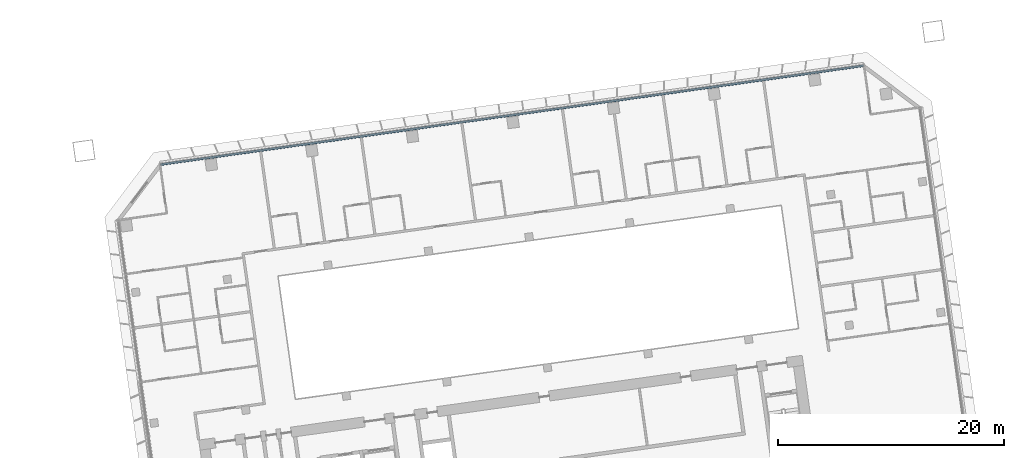
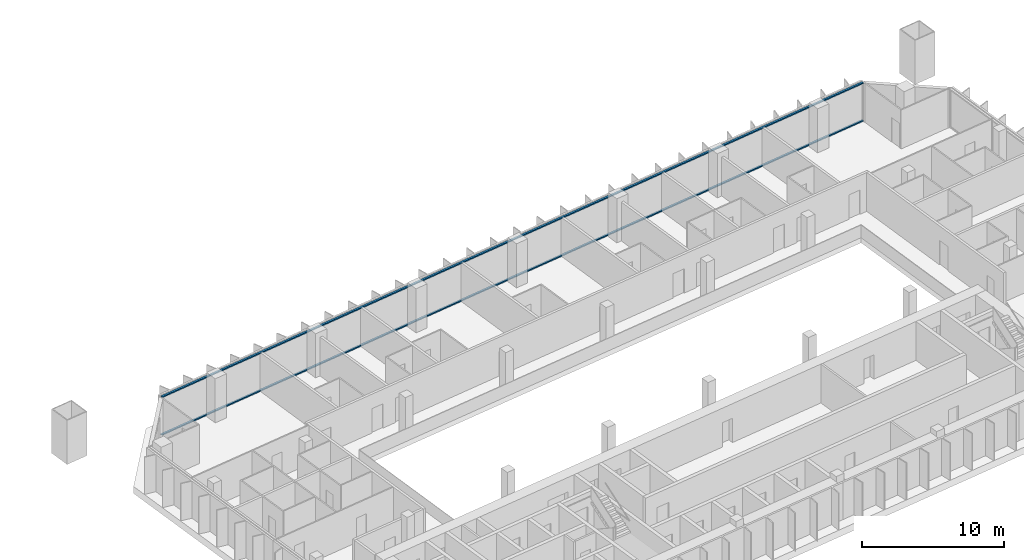
# One storey, part 9 of 25: 2 members, 1 element without a shape of its own.
"""IFC4 building model written with IfcOpenShell, lengths in metres."""

from ifc_helpers import new_model, si_unit, direction, frame, origin, origin_2d, place, context, subcontext, project, spatial, rectangle, extrude, material, material_profile, profile_set, type_object, element, aggregate, save


model = new_model("IFC4")

# Units and contexts
model_context = context("Model", 3, precision=1e-05, world=origin(), true_north=direction((0.0, 1.0)))
body_context = subcontext(model_context, "Body", "Model", "MODEL_VIEW")
ifc_project = project(units=[si_unit("LENGTHUNIT", "METRE"), si_unit("AREAUNIT", "SQUARE_METRE"), si_unit("VOLUMEUNIT", "CUBIC_METRE"), si_unit("PLANEANGLEUNIT", "RADIAN"), si_unit("MASSUNIT", "GRAM", prefix="KILO")], contexts=[model_context])

# Site, building, storey
site_placement = place(None, origin())
site = spatial("IfcSite", under=ifc_project, at=site_placement, CompositionType="ELEMENT")
building_placement = place(site_placement, origin())
building = spatial("IfcBuilding", under=site, at=building_placement, Name="Mirante Cascada Hotel Towers", CompositionType="ELEMENT")
storey_placement = place(building_placement, frame((0.0, 0.0, 69.9)))
storey = spatial("IfcBuildingStorey", under=building, at=storey_placement, Name="L14", CompositionType="ELEMENT", Elevation=69.9)

# Curtain wall, members
ifc_material_1 = material(Name="Aluminium mullion and transom frame with clear laminated glass", Category="aluminium")
curtain_wall_type = type_object("IfcCurtainWallType", Name="Ribbon curtain wall ECW1", PredefinedType="NOTDEFINED", material=ifc_material_1)
curtain_wall_placement = place(storey_placement, origin())
curtain_wall = element("IfcCurtainWall", 1, at=curtain_wall_placement, inside=storey, type_object=curtain_wall_type, Name="Front ribbon wall T2 L14", PredefinedType="NOTDEFINED")
ifc_material_2 = material(Name="Anodised aluminium extrusion", Category="aluminium")
ifc_material_profile = material_profile(ifc_material_2, rectangle(XDim=0.16, YDim=0.1, at=origin_2d()), Name="ECW1 TRANSOM 100x160")
ifc_profile_set = profile_set([ifc_material_profile], Name="Anodised aluminium extrusion")
member_type = type_object("IfcMemberType", Name="ECW1 transom 100x160", PredefinedType="USERDEFINED", material=ifc_profile_set)
member_1_placement = place(storey_placement, frame((94.1582, 26.0521, 0.05), z_axis=(-0.9902681, -0.1391728, 0.0), x_axis=(0.1391728, -0.9902681, 0.0)))
member_1 = element("IfcMember", 2, at=member_1_placement, type_object=member_type, Name="ECW1 sill transom", ObjectType="TRANSOM", PredefinedType="USERDEFINED", context=body_context, shape_type="SweptSolid", body=[
    extrude(rectangle(XDim=0.16, YDim=0.1, at=origin_2d()), origin(), (0.0, 0.0, 1.0), 62.8758),
])
member_2_placement = place(storey_placement, frame((94.1582, 26.0521, 3.3), z_axis=(-0.9902681, -0.1391728, 0.0), x_axis=(0.1391728, -0.9902681, 0.0)))
member_2 = element("IfcMember", 3, at=member_2_placement, type_object=member_type, Name="ECW1 head transom", ObjectType="TRANSOM", PredefinedType="USERDEFINED", context=body_context, shape_type="SweptSolid", body=[
    extrude(rectangle(XDim=0.16, YDim=0.1, at=origin_2d()), origin(), (0.0, 0.0, 1.0), 62.8758),
])
aggregate(curtain_wall, [member_1, member_2])

save(model, "model.ifc")
